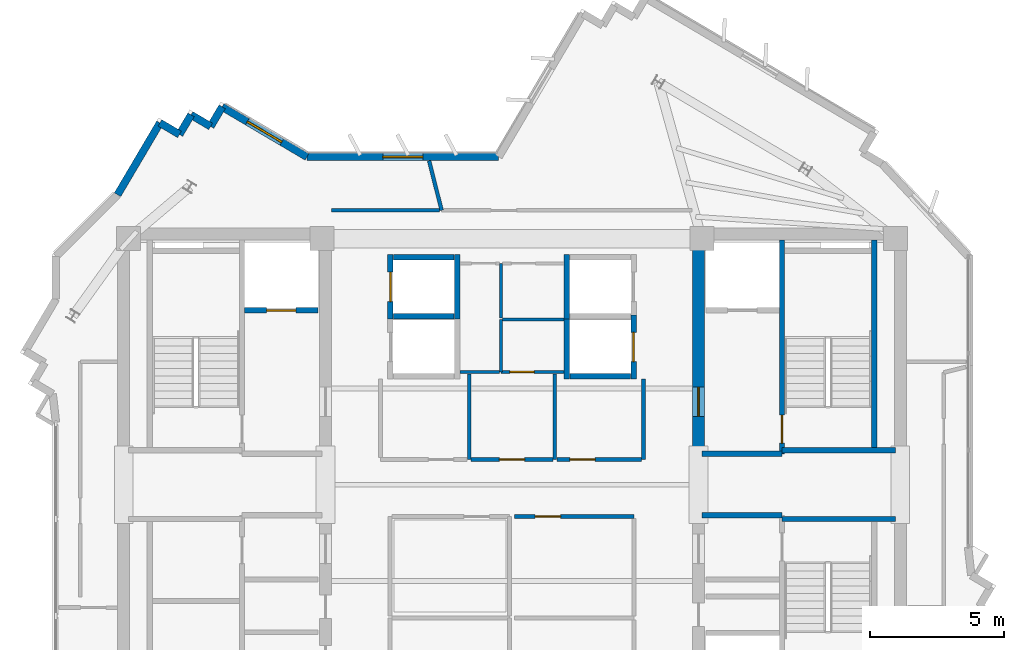
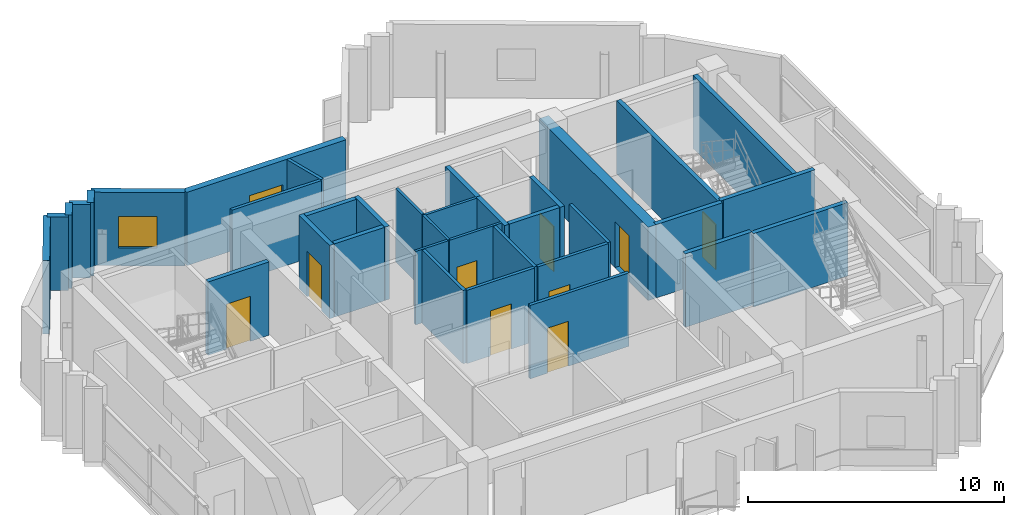
# One storey, part 6 of 10: 36 walls, 9 doors, 2 windows, 11 openings.
"""IFC4 building model written with IfcOpenShell, lengths in metres."""

from ifc_helpers import new_model, si_unit, direction, frame, frame_2d, origin, place, context, subcontext, project, spatial, rectangle, extrude, source, transform, mapped, material, layer, layer_set, type_object, element, fill, save


model = new_model("IFC4")

# Units and contexts
model_context = context("Model", 3, precision=1e-05, world=origin(), true_north=direction((0.0, 1.0)))
body_context = subcontext(model_context, "Body", "Model", "MODEL_VIEW")
ifc_project = project(units=[si_unit("LENGTHUNIT", "METRE"), si_unit("AREAUNIT", "SQUARE_METRE"), si_unit("VOLUMEUNIT", "CUBIC_METRE"), si_unit("PLANEANGLEUNIT", "RADIAN"), si_unit("MASSUNIT", "GRAM", prefix="KILO")], contexts=[model_context])

# Site, building, storey
site_placement = place(None, origin())
site = spatial("IfcSite", under=ifc_project, at=site_placement, CompositionType="ELEMENT")
building_placement = place(site_placement, origin())
building = spatial("IfcBuilding", under=site, at=building_placement, Name="Zahravan Cultural Tower", CompositionType="ELEMENT")
storey_placement = place(building_placement, frame((0.0, 0.0, 342.300048828125)))
storey = spatial("IfcBuildingStorey", under=building, at=storey_placement, Name="L83", CompositionType="ELEMENT", Elevation=342.300048828125)

# Wall, opening, door
ifc_material_1 = material(Name="Concrete C50/60", Category="concrete")
ifc_layer_1 = layer(ifc_material_1, 0.449951171875)
ifc_layer_set_1 = layer_set([ifc_layer_1], Name="Concrete C50/60")
wall_type_1 = type_object("IfcWallType", Name="CW-SHEAR-450-C50", PredefinedType="SHEAR", material=ifc_layer_set_1)
wall_1_placement = place(storey_placement, frame((42.97509765625, 28.050048828125, 0.0), z_axis=(0.0, 0.0, 1.0), x_axis=(0.0, 1.0, 0.0)))
wall_1 = element("IfcWall", 1, at=wall_1_placement, inside=storey, type_object=wall_type_1, Name="L83 Core Shear Wall CW-E-WN-L83", PredefinedType="SHEAR", context=body_context, shape_type="SweptSolid", body=[
    extrude(rectangle(XDim=8.550048828125, YDim=0.449951171875, at=frame_2d((4.27490234375, 0.0))), origin(), (0.0, 0.0, 1.0), 3.5),
])
opening_1_placement = place(wall_1_placement, frame((1.5, 0.0, 0.0)))
opening_1 = element("IfcOpeningElement", 2, at=opening_1_placement, cuts=wall_1, Name="Opening D-L83-07", PredefinedType="OPENING", context=body_context, shape_type="SweptSolid", body=[
    extrude(rectangle(XDim=1.10009765625, YDim=2.199951171875, at=frame_2d((0.550048828125, 1.10009765625))), frame((0.0, 0.23486328125, 0.0), z_axis=(0.0, -1.0, 0.0), x_axis=(1.0, 0.0, 0.0)), (0.0, 0.0, 1.0), 0.469970703125),
])
ifc_material_2 = material(Name="Steel ASTM A572 Grade 50", Category="steel")
door_type_1 = type_object("IfcDoorType", Name="DR-LOBBY-1100", OperationType="NOTDEFINED", PredefinedType="DOOR", material=ifc_material_2)
shared_shape_1 = source(origin(), body_context, "Body", "SweptSolid", [
    extrude(rectangle(XDim=1.10009765625, YDim=2.199951171875, at=frame_2d((0.550048828125, 1.10009765625))), frame((0.0, 0.02490234375, 0.0), z_axis=(0.0, -1.0, 0.0), x_axis=(1.0, 0.0, 0.0)), (0.0, 0.0, 1.0), 0.050048828125),
])
door_1_placement = place(opening_1_placement, origin())
door_1 = element("IfcDoor", 3, at=door_1_placement, inside=storey, type_object=door_type_1, Name="L83 Door D-L83-07", OperationType="SINGLE_SWING_RIGHT", OverallHeight=2.199951171875, OverallWidth=1.10009765625, PredefinedType="DOOR", context=body_context, shape_type="MappedRepresentation", body=[
    mapped(shared_shape_1, transform((0.0, 0.0, 0.0), x_axis=(1.0, 0.0, 0.0), y_axis=(0.0, 1.0, 0.0), z_axis=(0.0, 0.0, 1.0), scale=1.0)),
])
fill(opening_1, door_1)

# Wall, opening, window
ifc_material_3 = material(Name="Precast concrete C40/50", Category="concrete")
ifc_layer_2 = layer(ifc_material_3, 0.280029296875)
ifc_layer_set_2 = layer_set([ifc_layer_2], Name="Precast concrete C40/50")
wall_type_2 = type_object("IfcWallType", Name="EW-TC-280", PredefinedType="SOLIDWALL", material=ifc_layer_set_2)
wall_2_placement = place(storey_placement, frame((25.158447265625, 41.132568359375, 0.0), z_axis=(0.0, 0.0, 1.0), x_axis=(0.861166561994, -0.508322882137, 0.0)))
wall_2 = element("IfcWall", 4, at=wall_2_placement, inside=storey, type_object=wall_type_2, Name="L83 Exterior Masonry Frame Wall 45", PredefinedType="SOLIDWALL", context=body_context, shape_type="SweptSolid", body=[
    extrude(rectangle(XDim=3.683837890625, YDim=0.280029296875, at=frame_2d((1.841796875, 0.0))), origin(), (0.0, 0.0, 1.0), 3.5),
])
opening_2_placement = place(wall_2_placement, frame((1.092041015625, 0.0, 0.85009765625)))
opening_2 = element("IfcOpeningElement", 5, at=opening_2_placement, cuts=wall_2, Name="Opening WN-03", PredefinedType="OPENING", context=body_context, shape_type="SweptSolid", body=[
    extrude(rectangle(XDim=1.5, YDim=1.5, at=frame_2d((0.75, 0.75))), frame((0.0, 0.14990234375, 0.0), z_axis=(0.0, -1.0, 0.0), x_axis=(1.0, 0.0, 0.0)), (0.0, 0.0, 1.0), 0.300048828125),
])
ifc_material_4 = material(Name="Low-E solar-control double glazing", Category="glass")
window_type = type_object("IfcWindowType", Name="WN-REC-1500X1500", PartitioningType="SINGLE_PANEL", PredefinedType="WINDOW", material=ifc_material_4)
shared_shape_2 = source(origin(), body_context, "Body", "SweptSolid", [
    extrude(rectangle(XDim=1.5, YDim=1.5, at=frame_2d((0.75, 0.75))), frame((0.0, 0.030029296875, 0.0), z_axis=(0.0, -1.0, 0.0), x_axis=(1.0, 0.0, 0.0)), (0.0, 0.0, 1.0), 0.06005859375),
])
window_1_placement = place(opening_2_placement, origin())
window_1 = element("IfcWindow", 6, at=window_1_placement, inside=storey, type_object=window_type, Name="L83 Recessed Solar Window 07", OverallHeight=1.5, OverallWidth=1.5, PartitioningType="SINGLE_PANEL", PredefinedType="WINDOW", context=body_context, shape_type="MappedRepresentation", body=[
    mapped(shared_shape_2, transform((0.0, 0.0, 0.0), x_axis=(1.0, 0.0, 0.0), y_axis=(0.0, 1.0, 0.0), z_axis=(0.0, 0.0, 1.0), scale=1.0)),
])
fill(opening_2, window_1)

wall_3_placement = place(storey_placement, frame((28.330810546875, 39.260009765625, 0.0), z_axis=(0.0, 0.0, 1.0), x_axis=(1.0, 0.0, 0.0)))
wall_3 = element("IfcWall", 7, at=wall_3_placement, inside=storey, type_object=wall_type_2, Name="L83 Exterior Masonry Frame Wall 46", PredefinedType="SOLIDWALL", context=body_context, shape_type="SweptSolid", body=[
    extrude(rectangle(XDim=7.171875, YDim=0.280029296875, at=frame_2d((3.5859375, 0.0))), origin(), (0.0, 0.0, 1.0), 3.5),
])
opening_3_placement = place(wall_3_placement, frame((2.8359375, 0.0, 0.85009765625)))
opening_3 = element("IfcOpeningElement", 8, at=opening_3_placement, cuts=wall_3, Name="Opening WN-03", PredefinedType="OPENING", context=body_context, shape_type="SweptSolid", body=[
    extrude(rectangle(XDim=1.5, YDim=1.5, at=frame_2d((0.75, 0.75))), frame((0.0, 0.14990234375, 0.0), z_axis=(0.0, -1.0, 0.0), x_axis=(1.0, 0.0, 0.0)), (0.0, 0.0, 1.0), 0.300048828125),
])
window_2_placement = place(opening_3_placement, origin())
window_2 = element("IfcWindow", 9, at=window_2_placement, inside=storey, type_object=window_type, Name="L83 Recessed Solar Window 08", OverallHeight=1.5, OverallWidth=1.5, PartitioningType="SINGLE_PANEL", PredefinedType="WINDOW", context=body_context, shape_type="MappedRepresentation", body=[
    mapped(shared_shape_2, transform((0.0, 0.0, 0.0), x_axis=(1.0, 0.0, 0.0), y_axis=(0.0, 1.0, 0.0), z_axis=(0.0, 0.0, 1.0), scale=1.0)),
])
fill(opening_3, window_2)

# Wall, opening, door
ifc_material_5 = material(Name="Gypsum plasterboard partition")
ifc_layer_3 = layer(ifc_material_5, 0.139892578125)
ifc_layer_set_3 = layer_set([ifc_layer_3], Name="Gypsum plasterboard partition")
wall_type_3 = type_object("IfcWallType", Name="W-PART-140", PredefinedType="PARTITIONING", material=ifc_layer_set_3)
wall_4_placement = place(storey_placement, frame((37.52490234375, 27.93994140625, 0.0), z_axis=(0.0, 0.0, 1.0), x_axis=(-1.0, 0.0, 0.0)))
wall_4 = element("IfcWall", 10, at=wall_4_placement, inside=storey, type_object=wall_type_3, Name="L83 Interior Wall 053", PredefinedType="PARTITIONING", context=body_context, shape_type="SweptSolid", body=[
    extrude(rectangle(XDim=3.0498046875, YDim=0.139892578125, at=frame_2d((1.52490234375, 0.0))), origin(), (0.0, 0.0, 1.0), 3.5),
])
opening_4_placement = place(wall_4_placement, frame((1.050048828125, 0.0, 0.0)))
opening_4 = element("IfcOpeningElement", 11, at=opening_4_placement, cuts=wall_4, Name="Opening D-L83-21", PredefinedType="OPENING", context=body_context, shape_type="SweptSolid", body=[
    extrude(rectangle(XDim=0.949951171875, YDim=2.14990234375, at=frame_2d((0.47509765625, 1.074951171875))), frame((0.0, 0.079833984375, 0.0), z_axis=(0.0, -1.0, 0.0), x_axis=(1.0, 0.0, 0.0)), (0.0, 0.0, 1.0), 0.159912109375),
])
ifc_material_6 = material(Name="Anodised bronze-aluminium mullion", Category="aluminium")
door_type_2 = type_object("IfcDoorType", Name="DR-ROOM-950", OperationType="NOTDEFINED", PredefinedType="DOOR", material=ifc_material_6)
shared_shape_3 = source(origin(), body_context, "Body", "SweptSolid", [
    extrude(rectangle(XDim=0.949951171875, YDim=2.14990234375, at=frame_2d((0.47509765625, 1.074951171875))), frame((0.0, 0.02490234375, 0.0), z_axis=(0.0, -1.0, 0.0), x_axis=(1.0, 0.0, 0.0)), (0.0, 0.0, 1.0), 0.050048828125),
])
door_2_placement = place(opening_4_placement, origin())
door_2 = element("IfcDoor", 12, at=door_2_placement, inside=storey, type_object=door_type_2, Name="L83 Door D-L83-21", OperationType="SINGLE_SWING_RIGHT", OverallHeight=2.14990234375, OverallWidth=0.949951171875, PredefinedType="DOOR", context=body_context, shape_type="MappedRepresentation", body=[
    mapped(shared_shape_3, transform((0.0, 0.0, 0.0), x_axis=(1.0, 0.0, 0.0), y_axis=(0.0, 1.0, 0.0), z_axis=(0.0, 0.0, 1.0), scale=1.0)),
])
fill(opening_4, door_2)

wall_5_placement = place(storey_placement, frame((40.844970703125, 27.93994140625, 0.0), z_axis=(0.0, 0.0, 1.0), x_axis=(-1.0, 0.0, 0.0)))
wall_5 = element("IfcWall", 13, at=wall_5_placement, inside=storey, type_object=wall_type_3, Name="L83 Interior Wall 057", PredefinedType="PARTITIONING", context=body_context, shape_type="SweptSolid", body=[
    extrude(rectangle(XDim=3.169921875, YDim=0.139892578125, at=frame_2d((1.5849609375, 0.0))), origin(), (0.0, 0.0, 1.0), 3.5),
])
opening_5_placement = place(wall_5_placement, frame((1.731689453125, 0.0, 0.0)))
opening_5 = element("IfcOpeningElement", 14, at=opening_5_placement, cuts=wall_5, Name="Opening D-L83-22", PredefinedType="OPENING", context=body_context, shape_type="SweptSolid", body=[
    extrude(rectangle(XDim=0.949951171875, YDim=2.14990234375, at=frame_2d((0.47509765625, 1.074951171875))), frame((0.0, 0.079833984375, 0.0), z_axis=(0.0, -1.0, 0.0), x_axis=(1.0, 0.0, 0.0)), (0.0, 0.0, 1.0), 0.159912109375),
])
door_3_placement = place(opening_5_placement, origin())
door_3 = element("IfcDoor", 15, at=door_3_placement, inside=storey, type_object=door_type_2, Name="L83 Door D-L83-22", OperationType="SINGLE_SWING_LEFT", OverallHeight=2.14990234375, OverallWidth=0.949951171875, PredefinedType="DOOR", context=body_context, shape_type="MappedRepresentation", body=[
    mapped(shared_shape_3, transform((0.0, 0.0, 0.0), x_axis=(1.0, 0.0, 0.0), y_axis=(0.0, 1.0, 0.0), z_axis=(0.0, 0.0, 1.0), scale=1.0)),
])
fill(opening_5, door_3)

wall_6_placement = place(storey_placement, frame((36.090087890625, 25.81005859375, 0.0), z_axis=(0.0, 0.0, 1.0), x_axis=(1.0, 0.0, 0.0)))
wall_6 = element("IfcWall", 16, at=wall_6_placement, inside=storey, type_object=wall_type_3, Name="L83 Interior Wall 068", PredefinedType="PARTITIONING", context=body_context, shape_type="SweptSolid", body=[
    extrude(rectangle(XDim=4.469970703125, YDim=0.139892578125, at=frame_2d((2.23486328125, 0.0))), origin(), (0.0, 0.0, 1.0), 3.5),
])
opening_6_placement = place(wall_6_placement, frame((0.7744140625, 0.0, 0.0)))
opening_6 = element("IfcOpeningElement", 17, at=opening_6_placement, cuts=wall_6, Name="Opening D-L83-17", PredefinedType="OPENING", context=body_context, shape_type="SweptSolid", body=[
    extrude(rectangle(XDim=0.949951171875, YDim=2.14990234375, at=frame_2d((0.47509765625, 1.074951171875))), frame((0.0, 0.079833984375, 0.0), z_axis=(0.0, -1.0, 0.0), x_axis=(1.0, 0.0, 0.0)), (0.0, 0.0, 1.0), 0.159912109375),
])
door_4_placement = place(opening_6_placement, origin())
door_4 = element("IfcDoor", 18, at=door_4_placement, inside=storey, type_object=door_type_2, Name="L83 Door D-L83-17", OperationType="SINGLE_SWING_RIGHT", OverallHeight=2.14990234375, OverallWidth=0.949951171875, PredefinedType="DOOR", context=body_context, shape_type="MappedRepresentation", body=[
    mapped(shared_shape_3, transform((0.0, 0.0, 0.0), x_axis=(1.0, 0.0, 0.0), y_axis=(0.0, 1.0, 0.0), z_axis=(0.0, 0.0, 1.0), scale=1.0)),
])
fill(opening_6, door_4)

ifc_material_7 = material(Name="Concrete C45/55", Category="concrete")
ifc_layer_4 = layer(ifc_material_7, 0.199951171875)
ifc_layer_set_4 = layer_set([ifc_layer_4], Name="Concrete C45/55")
wall_type_4 = type_object("IfcWallType", Name="W-SHAFT-200", PredefinedType="SOLIDWALL", material=ifc_layer_set_4)
wall_7_placement = place(storey_placement, frame((46.10009765625, 28.14990234375, 0.0), z_axis=(0.0, 0.0, 1.0), x_axis=(0.0, 1.0, 0.0)))
wall_7 = element("IfcWall", 19, at=wall_7_placement, inside=storey, type_object=wall_type_4, Name="L83 Interior Wall 008", PredefinedType="SOLIDWALL", context=body_context, shape_type="SweptSolid", body=[
    extrude(rectangle(XDim=8.0, YDim=0.199951171875, at=frame_2d((4.0, 0.0))), origin(), (0.0, 0.0, 1.0), 3.5),
])
opening_7_placement = place(wall_7_placement, frame((0.39990234375, 0.0, 0.0)))
opening_7 = element("IfcOpeningElement", 20, at=opening_7_placement, cuts=wall_7, Name="Opening D-L83-02", PredefinedType="OPENING", context=body_context, shape_type="SweptSolid", body=[
    extrude(rectangle(XDim=1.050048828125, YDim=2.14990234375, at=frame_2d((0.52490234375, 1.074951171875))), frame((0.0, 0.10986328125, 0.0), z_axis=(0.0, -1.0, 0.0), x_axis=(1.0, 0.0, 0.0)), (0.0, 0.0, 1.0), 0.219970703125),
])
door_type_3 = type_object("IfcDoorType", Name="DR-STAIR-1050", OperationType="NOTDEFINED", PredefinedType="DOOR", material=ifc_material_2)
shared_shape_4 = source(origin(), body_context, "Body", "SweptSolid", [
    extrude(rectangle(XDim=1.050048828125, YDim=2.14990234375, at=frame_2d((0.52490234375, 1.074951171875))), frame((0.0, 0.02490234375, 0.0), z_axis=(0.0, -1.0, 0.0), x_axis=(1.0, 0.0, 0.0)), (0.0, 0.0, 1.0), 0.050048828125),
])
door_5_placement = place(opening_7_placement, origin())
door_5 = element("IfcDoor", 21, at=door_5_placement, inside=storey, type_object=door_type_3, Name="L83 Door D-L83-02", OperationType="SINGLE_SWING_LEFT", OverallHeight=2.14990234375, OverallWidth=1.050048828125, PredefinedType="DOOR", context=body_context, shape_type="MappedRepresentation", body=[
    mapped(shared_shape_4, transform((0.0, 0.0, 0.0), x_axis=(1.0, 0.0, 0.0), y_axis=(0.0, 1.0, 0.0), z_axis=(0.0, 0.0, 1.0), scale=1.0)),
])
fill(opening_7, door_5)

wall_8_placement = place(storey_placement, frame((26.0, 33.52001953125, 0.0), z_axis=(0.0, 0.0, 1.0), x_axis=(1.0, 0.0, 0.0)))
wall_8 = element("IfcWall", 22, at=wall_8_placement, inside=storey, type_object=wall_type_4, Name="L83 Interior Wall 022", PredefinedType="SOLIDWALL", context=body_context, shape_type="SweptSolid", body=[
    extrude(rectangle(XDim=2.75, YDim=0.199951171875, at=frame_2d((1.375, 0.0))), origin(), (0.0, 0.0, 1.0), 3.5),
])
opening_8_placement = place(wall_8_placement, frame((0.820068359375, 0.0, 0.0)))
opening_8 = element("IfcOpeningElement", 23, at=opening_8_placement, cuts=wall_8, Name="Opening LD-L83-01", PredefinedType="OPENING", context=body_context, shape_type="SweptSolid", body=[
    extrude(rectangle(XDim=1.10009765625, YDim=2.14990234375, at=frame_2d((0.550048828125, 1.074951171875))), frame((0.0, 0.10986328125, 0.0), z_axis=(0.0, -1.0, 0.0), x_axis=(1.0, 0.0, 0.0)), (0.0, 0.0, 1.0), 0.219970703125),
])
door_type_4 = type_object("IfcDoorType", Name="DR-LIFT-1100", OperationType="DOUBLE_DOOR_SLIDING", PredefinedType="DOOR", material=ifc_material_2)
shared_shape_5 = source(origin(), body_context, "Body", "SweptSolid", [
    extrude(rectangle(XDim=1.10009765625, YDim=2.14990234375, at=frame_2d((0.550048828125, 1.074951171875))), frame((0.0, 0.02490234375, 0.0), z_axis=(0.0, -1.0, 0.0), x_axis=(1.0, 0.0, 0.0)), (0.0, 0.0, 1.0), 0.050048828125),
])
door_6_placement = place(opening_8_placement, origin())
door_6 = element("IfcDoor", 24, at=door_6_placement, inside=storey, type_object=door_type_4, Name="L83 Door LD-L83-01", OperationType="DOUBLE_DOOR_SLIDING", OverallHeight=2.14990234375, OverallWidth=1.10009765625, PredefinedType="DOOR", context=body_context, shape_type="MappedRepresentation", body=[
    mapped(shared_shape_5, transform((0.0, 0.0, 0.0), x_axis=(1.0, 0.0, 0.0), y_axis=(0.0, 1.0, 0.0), z_axis=(0.0, 0.0, 1.0), scale=1.0)),
])
fill(opening_8, door_6)

wall_9_placement = place(storey_placement, frame((31.449951171875, 33.199951171875, 0.0), z_axis=(0.0, 0.0, 1.0), x_axis=(0.0, 1.0, 0.0)))
wall_9 = element("IfcWall", 25, at=wall_9_placement, inside=storey, type_object=wall_type_4, Name="L83 Interior Wall 030", PredefinedType="SOLIDWALL", context=body_context, shape_type="SweptSolid", body=[
    extrude(rectangle(XDim=2.400146484375, YDim=0.199951171875, at=frame_2d((1.2001953125, 0.0))), origin(), (0.0, 0.0, 1.0), 3.5),
])
opening_9_placement = place(wall_9_placement, frame((0.64990234375, 0.0, 0.0)))
opening_9 = element("IfcOpeningElement", 26, at=opening_9_placement, cuts=wall_9, Name="Opening LD-L83-04", PredefinedType="OPENING", context=body_context, shape_type="SweptSolid", body=[
    extrude(rectangle(XDim=1.10009765625, YDim=2.14990234375, at=frame_2d((0.550048828125, 1.074951171875))), frame((0.0, 0.10986328125, 0.0), z_axis=(0.0, -1.0, 0.0), x_axis=(1.0, 0.0, 0.0)), (0.0, 0.0, 1.0), 0.219970703125),
])
door_7_placement = place(opening_9_placement, origin())
door_7 = element("IfcDoor", 27, at=door_7_placement, inside=storey, type_object=door_type_4, Name="L83 Door LD-L83-04", OperationType="DOUBLE_DOOR_SLIDING", OverallHeight=2.14990234375, OverallWidth=1.10009765625, PredefinedType="DOOR", context=body_context, shape_type="MappedRepresentation", body=[
    mapped(shared_shape_5, transform((0.0, 0.0, 0.0), x_axis=(1.0, 0.0, 0.0), y_axis=(0.0, 1.0, 0.0), z_axis=(0.0, 0.0, 1.0), scale=1.0)),
])
fill(opening_9, door_7)

wall_10_placement = place(storey_placement, frame((40.550048828125, 30.949951171875, 0.0), z_axis=(0.0, 0.0, 1.0), x_axis=(0.0, 1.0, 0.0)))
wall_10 = element("IfcWall", 28, at=wall_10_placement, inside=storey, type_object=wall_type_4, Name="L83 Interior Wall 042", PredefinedType="SOLIDWALL", context=body_context, shape_type="SweptSolid", body=[
    extrude(rectangle(XDim=2.400146484375, YDim=0.199951171875, at=frame_2d((1.2001953125, 0.0))), origin(), (0.0, 0.0, 1.0), 3.5),
])
opening_10_placement = place(wall_10_placement, frame((0.64990234375, 0.0, 0.0)))
opening_10 = element("IfcOpeningElement", 29, at=opening_10_placement, cuts=wall_10, Name="Opening LD-L83-07", PredefinedType="OPENING", context=body_context, shape_type="SweptSolid", body=[
    extrude(rectangle(XDim=1.10009765625, YDim=2.14990234375, at=frame_2d((0.550048828125, 1.074951171875))), frame((0.0, 0.10986328125, 0.0), z_axis=(0.0, -1.0, 0.0), x_axis=(1.0, 0.0, 0.0)), (0.0, 0.0, 1.0), 0.219970703125),
])
door_8_placement = place(opening_10_placement, origin())
door_8 = element("IfcDoor", 30, at=door_8_placement, inside=storey, type_object=door_type_4, Name="L83 Door LD-L83-07", OperationType="DOUBLE_DOOR_SLIDING", OverallHeight=2.14990234375, OverallWidth=1.10009765625, PredefinedType="DOOR", context=body_context, shape_type="MappedRepresentation", body=[
    mapped(shared_shape_5, transform((0.0, 0.0, 0.0), x_axis=(1.0, 0.0, 0.0), y_axis=(0.0, 1.0, 0.0), z_axis=(0.0, 0.0, 1.0), scale=1.0)),
])
fill(opening_10, door_8)

ifc_layer_5 = layer(ifc_material_5, 0.114990234375)
ifc_layer_set_5 = layer_set([ifc_layer_5], Name="Gypsum plasterboard partition")
wall_type_5 = type_object("IfcWallType", Name="W-WC-115", PredefinedType="PARTITIONING", material=ifc_layer_set_5)
wall_11_placement = place(storey_placement, frame((37.945068359375, 31.219970703125, 0.0), z_axis=(0.0, 0.0, 1.0), x_axis=(-1.0, 0.0, 0.0)))
wall_11 = element("IfcWall", 31, at=wall_11_placement, inside=storey, type_object=wall_type_5, Name="L83 Interior Wall 044", PredefinedType="PARTITIONING", context=body_context, shape_type="SweptSolid", body=[
    extrude(rectangle(XDim=2.35498046875, YDim=0.114990234375, at=frame_2d((1.177490234375, 0.0))), origin(), (0.0, 0.0, 1.0), 3.5),
])
opening_11_placement = place(wall_11_placement, frame((1.120849609375, 0.0, 0.0)))
opening_11 = element("IfcOpeningElement", 32, at=opening_11_placement, cuts=wall_11, Name="Opening D-L83-29", PredefinedType="OPENING", context=body_context, shape_type="SweptSolid", body=[
    extrude(rectangle(XDim=0.89990234375, YDim=2.10009765625, at=frame_2d((0.449951171875, 1.050048828125))), frame((0.0, 0.0673828125, 0.0), z_axis=(0.0, -1.0, 0.0), x_axis=(1.0, 0.0, 0.0)), (0.0, 0.0, 1.0), 0.135009765625),
])
door_type_5 = type_object("IfcDoorType", Name="DR-WC-900", OperationType="NOTDEFINED", PredefinedType="DOOR", material=ifc_material_6)
shared_shape_6 = source(origin(), body_context, "Body", "SweptSolid", [
    extrude(rectangle(XDim=0.89990234375, YDim=2.10009765625, at=frame_2d((0.449951171875, 1.050048828125))), frame((0.0, 0.02490234375, 0.0), z_axis=(0.0, -1.0, 0.0), x_axis=(1.0, 0.0, 0.0)), (0.0, 0.0, 1.0), 0.050048828125),
])
door_9_placement = place(opening_11_placement, origin())
door_9 = element("IfcDoor", 33, at=door_9_placement, inside=storey, type_object=door_type_5, Name="L83 Door D-L83-29", OperationType="SINGLE_SWING_RIGHT", OverallHeight=2.10009765625, OverallWidth=0.89990234375, PredefinedType="DOOR", context=body_context, shape_type="MappedRepresentation", body=[
    mapped(shared_shape_6, transform((0.0, 0.0, 0.0), x_axis=(1.0, 0.0, 0.0), y_axis=(0.0, 1.0, 0.0), z_axis=(0.0, 0.0, 1.0), scale=1.0)),
])
fill(opening_11, door_9)

# Walls
shared_shape_7 = source(origin(), body_context, "Body", "SweptSolid", [
    extrude(rectangle(XDim=0.85009765625, YDim=0.280029296875, at=frame_2d((0.425048828125, 0.0))), origin(), (0.0, 0.0, 1.0), 3.5),
])
for number, where, z_axis, x_axis, name in (
    (34, (22.830322265625, 40.53271484375, 0.0), (0.0, 0.0, 1.0), (0.861120885632, -0.508400256027, 0.0), "L83 Exterior Masonry Frame Wall 41"),
    (35, (23.562255859375, 40.1005859375, 0.0), (0.0, 0.0, 1.0), (0.508400256027, 0.861120885632, 0.0), "L83 Exterior Masonry Frame Wall 42"),
    (36, (23.994384765625, 40.83251953125, 0.0), (0.0, 0.0, 1.0), (0.861120885632, -0.508400256027, 0.0), "L83 Exterior Masonry Frame Wall 43"),
    (37, (24.726318359375, 40.400390625, 0.0), (0.0, 0.0, 1.0), (0.508274533332, 0.861195099131, 0.0), "L83 Exterior Masonry Frame Wall 44"),
):
    element("IfcWall", number, at=place(storey_placement, frame(where, z_axis=z_axis, x_axis=x_axis)), inside=storey, type_object=wall_type_2, Name=name, PredefinedType="SOLIDWALL", context=body_context, shape_type="MappedRepresentation", body=[
        mapped(shared_shape_7, transform((0.0, 0.0, 0.0), x_axis=(1.0, 0.0, 0.0), y_axis=(0.0, 1.0, 0.0), z_axis=(0.0, 0.0, 1.0), scale=1.0)),
    ])
shared_shape_8 = source(origin(), body_context, "Body", "SweptSolid", [
    extrude(rectangle(XDim=3.117919921875, YDim=0.280029296875, at=frame_2d((1.55908203125, 0.0))), origin(), (0.0, 0.0, 1.0), 3.5),
])
wall_12_placement = place(storey_placement, frame((21.24560546875, 37.84765625, 0.0), z_axis=(0.0, 0.0, 1.0), x_axis=(0.508275482209, 0.861194539106, 0.0)))
element("IfcWall", 38, at=wall_12_placement, inside=storey, type_object=wall_type_2, Name="L83 Exterior Masonry Frame Wall 40", PredefinedType="SOLIDWALL", context=body_context, shape_type="MappedRepresentation", body=[
    mapped(shared_shape_8, transform((0.0, 0.0, 0.0), x_axis=(1.0, 0.0, 0.0), y_axis=(0.0, 1.0, 0.0), z_axis=(0.0, 0.0, 1.0), scale=1.0)),
])
shared_shape_9 = source(origin(), body_context, "Body", "SweptSolid", [
    extrude(rectangle(XDim=7.869873046875, YDim=0.199951171875, at=frame_2d((3.93505859375, 0.0))), origin(), (0.0, 0.0, 1.0), 3.5),
])
wall_13_placement = place(storey_placement, frame((49.550048828125, 28.280029296875, 0.0), z_axis=(0.0, 0.0, 1.0), x_axis=(0.0, 1.0, 0.0)))
element("IfcWall", 39, at=wall_13_placement, inside=storey, type_object=wall_type_4, Name="L83 Interior Wall 004", PredefinedType="SOLIDWALL", context=body_context, shape_type="MappedRepresentation", body=[
    mapped(shared_shape_9, transform((0.0, 0.0, 0.0), x_axis=(1.0, 0.0, 0.0), y_axis=(0.0, 1.0, 0.0), z_axis=(0.0, 0.0, 1.0), scale=1.0)),
])
shared_shape_10 = source(origin(), body_context, "Body", "SweptSolid", [
    extrude(rectangle(XDim=4.25, YDim=0.199951171875, at=frame_2d((2.125, 0.0))), origin(), (0.0, 0.0, 1.0), 3.5),
])
for number, where, z_axis, x_axis, name in (
    (40, (46.10009765625, 25.715087890625, 0.0), (0.0, 0.0, 1.0), (1.0, 0.0, 0.0), "L83 Interior Wall 014"),
    (41, (46.10009765625, 28.284912109375, 0.0), (0.0, 0.0, 1.0), (1.0, 0.0, 0.0), "L83 Interior Wall 016"),
):
    element("IfcWall", number, at=place(storey_placement, frame(where, z_axis=z_axis, x_axis=x_axis)), inside=storey, type_object=wall_type_4, Name=name, PredefinedType="SOLIDWALL", context=body_context, shape_type="MappedRepresentation", body=[
        mapped(shared_shape_10, transform((0.0, 0.0, 0.0), x_axis=(1.0, 0.0, 0.0), y_axis=(0.0, 1.0, 0.0), z_axis=(0.0, 0.0, 1.0), scale=1.0)),
    ])
shared_shape_11 = source(origin(), body_context, "Body", "SweptSolid", [
    extrude(rectangle(XDim=3.0, YDim=0.199951171875, at=frame_2d((1.5, 0.0))), origin(), (0.0, 0.0, 1.0), 3.5),
])
for number, where, z_axis, x_axis, name in (
    (42, (43.10009765625, 25.85009765625, 0.0), (0.0, 0.0, 1.0), (1.0, 0.0, 0.0), "L83 Interior Wall 013"),
    (43, (43.10009765625, 28.14990234375, 0.0), (0.0, 0.0, 1.0), (1.0, 0.0, 0.0), "L83 Interior Wall 015"),
):
    element("IfcWall", number, at=place(storey_placement, frame(where, z_axis=z_axis, x_axis=x_axis)), inside=storey, type_object=wall_type_4, Name=name, PredefinedType="SOLIDWALL", context=body_context, shape_type="MappedRepresentation", body=[
        mapped(shared_shape_11, transform((0.0, 0.0, 0.0), x_axis=(1.0, 0.0, 0.0), y_axis=(0.0, 1.0, 0.0), z_axis=(0.0, 0.0, 1.0), scale=1.0)),
    ])
shared_shape_12 = source(origin(), body_context, "Body", "SweptSolid", [
    extrude(rectangle(XDim=2.400146484375, YDim=0.199951171875, at=frame_2d((1.2001953125, 0.0))), origin(), (0.0, 0.0, 1.0), 3.5),
])
for number, where, z_axis, x_axis, name in (
    (44, (33.949951171875, 33.199951171875, 0.0), (0.0, 0.0, 1.0), (0.0, 1.0, 0.0), "L83 Interior Wall 031"),
    (45, (38.050048828125, 33.199951171875, 0.0), (0.0, 0.0, 1.0), (0.0, 1.0, 0.0), "L83 Interior Wall 037"),
    (46, (38.050048828125, 30.949951171875, 0.0), (0.0, 0.0, 1.0), (0.0, 1.0, 0.0), "L83 Interior Wall 041"),
):
    element("IfcWall", number, at=place(storey_placement, frame(where, z_axis=z_axis, x_axis=x_axis)), inside=storey, type_object=wall_type_4, Name=name, PredefinedType="SOLIDWALL", context=body_context, shape_type="MappedRepresentation", body=[
        mapped(shared_shape_12, transform((0.0, 0.0, 0.0), x_axis=(1.0, 0.0, 0.0), y_axis=(0.0, 1.0, 0.0), z_axis=(0.0, 0.0, 1.0), scale=1.0)),
    ])
shared_shape_13 = source(origin(), body_context, "Body", "SweptSolid", [
    extrude(rectangle(XDim=2.260009765625, YDim=0.199951171875, at=frame_2d((1.1298828125, 0.0))), origin(), (0.0, 0.0, 1.0), 3.5),
])
for number, where, z_axis, x_axis, name in (
    (47, (31.570068359375, 33.300048828125, 0.0), (0.0, 0.0, 1.0), (1.0, 0.0, 0.0), "L83 Interior Wall 032"),
    (48, (31.570068359375, 35.5, 0.0), (0.0, 0.0, 1.0), (1.0, 0.0, 0.0), "L83 Interior Wall 033"),
    (49, (38.169921875, 31.050048828125, 0.0), (0.0, 0.0, 1.0), (1.0, 0.0, 0.0), "L83 Interior Wall 043"),
):
    element("IfcWall", number, at=place(storey_placement, frame(where, z_axis=z_axis, x_axis=x_axis)), inside=storey, type_object=wall_type_4, Name=name, PredefinedType="SOLIDWALL", context=body_context, shape_type="MappedRepresentation", body=[
        mapped(shared_shape_13, transform((0.0, 0.0, 0.0), x_axis=(1.0, 0.0, 0.0), y_axis=(0.0, 1.0, 0.0), z_axis=(0.0, 0.0, 1.0), scale=1.0)),
    ])
shared_shape_14 = source(origin(), body_context, "Body", "SweptSolid", [
    extrude(rectangle(XDim=1.9599609375, YDim=0.114990234375, at=frame_2d((0.97998046875, 0.0))), origin(), (0.0, 0.0, 1.0), 3.5),
])
wall_14_placement = place(storey_placement, frame((35.590087890625, 31.219970703125, 0.0), z_axis=(0.0, 0.0, 1.0), x_axis=(0.0, 1.0, 0.0)))
element("IfcWall", 50, at=wall_14_placement, inside=storey, type_object=wall_type_5, Name="L83 Interior Wall 045", PredefinedType="PARTITIONING", context=body_context, shape_type="MappedRepresentation", body=[
    mapped(shared_shape_14, transform((0.0, 0.0, 0.0), x_axis=(1.0, 0.0, 0.0), y_axis=(0.0, 1.0, 0.0), z_axis=(0.0, 0.0, 1.0), scale=1.0)),
])
shared_shape_15 = source(origin(), body_context, "Body", "SweptSolid", [
    extrude(rectangle(XDim=2.29248046875, YDim=0.114990234375, at=frame_2d((1.146240234375, 0.0))), origin(), (0.0, 0.0, 1.0), 3.5),
])
wall_15_placement = place(storey_placement, frame((35.652587890625, 33.179931640625, 0.0), z_axis=(0.0, 0.0, 1.0), x_axis=(1.0, 0.0, 0.0)))
element("IfcWall", 51, at=wall_15_placement, inside=storey, type_object=wall_type_5, Name="L83 Interior Wall 046", PredefinedType="PARTITIONING", context=body_context, shape_type="MappedRepresentation", body=[
    mapped(shared_shape_15, transform((0.0, 0.0, 0.0), x_axis=(1.0, 0.0, 0.0), y_axis=(0.0, 1.0, 0.0), z_axis=(0.0, 0.0, 1.0), scale=1.0)),
])
shared_shape_16 = source(origin(), body_context, "Body", "SweptSolid", [
    extrude(rectangle(XDim=2.0400390625, YDim=0.114990234375, at=frame_2d((1.02001953125, 0.0))), origin(), (0.0, 0.0, 1.0), 3.5),
])
wall_16_placement = place(storey_placement, frame((35.590087890625, 33.239990234375, 0.0), z_axis=(0.0, 0.0, 1.0), x_axis=(0.0, 1.0, 0.0)))
element("IfcWall", 52, at=wall_16_placement, inside=storey, type_object=wall_type_5, Name="L83 Interior Wall 047", PredefinedType="PARTITIONING", context=body_context, shape_type="MappedRepresentation", body=[
    mapped(shared_shape_16, transform((0.0, 0.0, 0.0), x_axis=(1.0, 0.0, 0.0), y_axis=(0.0, 1.0, 0.0), z_axis=(0.0, 0.0, 1.0), scale=1.0)),
])
shared_shape_17 = source(origin(), body_context, "Body", "SweptSolid", [
    extrude(rectangle(XDim=1.47265625, YDim=0.114990234375, at=frame_2d((0.736328125, 0.0))), origin(), (0.0, 0.0, 1.0), 3.5),
])
wall_17_placement = place(storey_placement, frame((35.527587890625, 31.219970703125, 0.0), z_axis=(0.0, 0.0, 1.0), x_axis=(-1.0, 0.0, 0.0)))
element("IfcWall", 53, at=wall_17_placement, inside=storey, type_object=wall_type_5, Name="L83 Interior Wall 049", PredefinedType="PARTITIONING", context=body_context, shape_type="MappedRepresentation", body=[
    mapped(shared_shape_17, transform((0.0, 0.0, 0.0), x_axis=(1.0, 0.0, 0.0), y_axis=(0.0, 1.0, 0.0), z_axis=(0.0, 0.0, 1.0), scale=1.0)),
])
shared_shape_18 = source(origin(), body_context, "Body", "SweptSolid", [
    extrude(rectangle(XDim=3.010009765625, YDim=0.139892578125, at=frame_2d((1.5048828125, 0.0))), origin(), (0.0, 0.0, 1.0), 3.5),
])
wall_18_placement = place(storey_placement, frame((40.919921875, 30.949951171875, 0.0), z_axis=(0.0, 0.0, 1.0), x_axis=(0.0, -1.0, 0.0)))
element("IfcWall", 54, at=wall_18_placement, inside=storey, type_object=wall_type_3, Name="L83 Interior Wall 056", PredefinedType="PARTITIONING", context=body_context, shape_type="MappedRepresentation", body=[
    mapped(shared_shape_18, transform((0.0, 0.0, 0.0), x_axis=(1.0, 0.0, 0.0), y_axis=(0.0, 1.0, 0.0), z_axis=(0.0, 0.0, 1.0), scale=1.0)),
])
shared_shape_19 = source(origin(), body_context, "Body", "SweptSolid", [
    extrude(rectangle(XDim=3.199951171875, YDim=0.139892578125, at=frame_2d((1.60009765625, 0.0))), origin(), (0.0, 0.0, 1.0), 3.5),
])
for number, where, z_axis, x_axis, name in (
    (55, (34.39990234375, 27.93994140625, 0.0), (0.0, 0.0, 1.0), (0.0, 1.0, 0.0), "L83 Interior Wall 051"),
    (56, (37.60009765625, 31.139892578125, 0.0), (0.0, 0.0, 1.0), (0.0, -1.0, 0.0), "L83 Interior Wall 052"),
):
    element("IfcWall", number, at=place(storey_placement, frame(where, z_axis=z_axis, x_axis=x_axis)), inside=storey, type_object=wall_type_3, Name=name, PredefinedType="PARTITIONING", context=body_context, shape_type="MappedRepresentation", body=[
        mapped(shared_shape_19, transform((0.0, 0.0, 0.0), x_axis=(1.0, 0.0, 0.0), y_axis=(0.0, 1.0, 0.0), z_axis=(0.0, 0.0, 1.0), scale=1.0)),
    ])
shared_shape_20 = source(origin(), body_context, "Body", "SweptSolid", [
    extrude(rectangle(XDim=1.913330078125, YDim=0.139892578125, at=frame_2d((0.95654296875, 0.0))), origin(), (0.0, 0.0, 1.0), 3.5),
])
wall_19_placement = place(storey_placement, frame((32.8994140625, 39.114990234375, 0.0), z_axis=(0.0, 0.0, 1.0), x_axis=(0.244876872924, -0.969554184719, 0.0)))
element("IfcWall", 57, at=wall_19_placement, inside=storey, type_object=wall_type_3, Name="L83 Interior Wall 086", PredefinedType="PARTITIONING", context=body_context, shape_type="MappedRepresentation", body=[
    mapped(shared_shape_20, transform((0.0, 0.0, 0.0), x_axis=(1.0, 0.0, 0.0), y_axis=(0.0, 1.0, 0.0), z_axis=(0.0, 0.0, 1.0), scale=1.0)),
])
shared_shape_21 = source(origin(), body_context, "Body", "SweptSolid", [
    extrude(rectangle(XDim=4.036865234375, YDim=0.139892578125, at=frame_2d((2.0185546875, 0.0))), origin(), (0.0, 0.0, 1.0), 3.5),
])
wall_20_placement = place(storey_placement, frame((33.29052734375, 37.260009765625, 0.0), z_axis=(0.0, 0.0, 1.0), x_axis=(-0.999999992685, -0.000120955548, 0.0)))
element("IfcWall", 58, at=wall_20_placement, inside=storey, type_object=wall_type_3, Name="L83 Interior Wall 087", PredefinedType="PARTITIONING", context=body_context, shape_type="MappedRepresentation", body=[
    mapped(shared_shape_21, transform((0.0, 0.0, 0.0), x_axis=(1.0, 0.0, 0.0), y_axis=(0.0, 1.0, 0.0), z_axis=(0.0, 0.0, 1.0), scale=1.0)),
])

save(model, "model.ifc")
